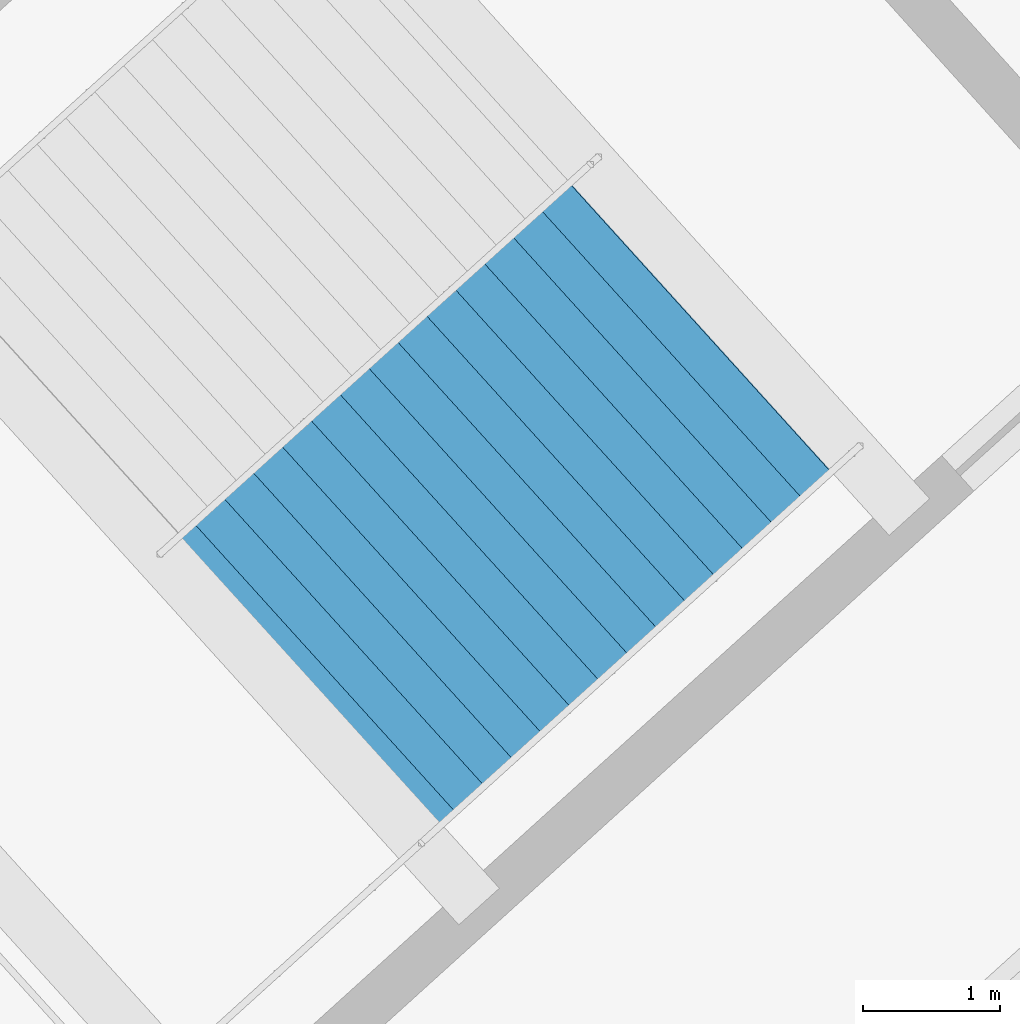
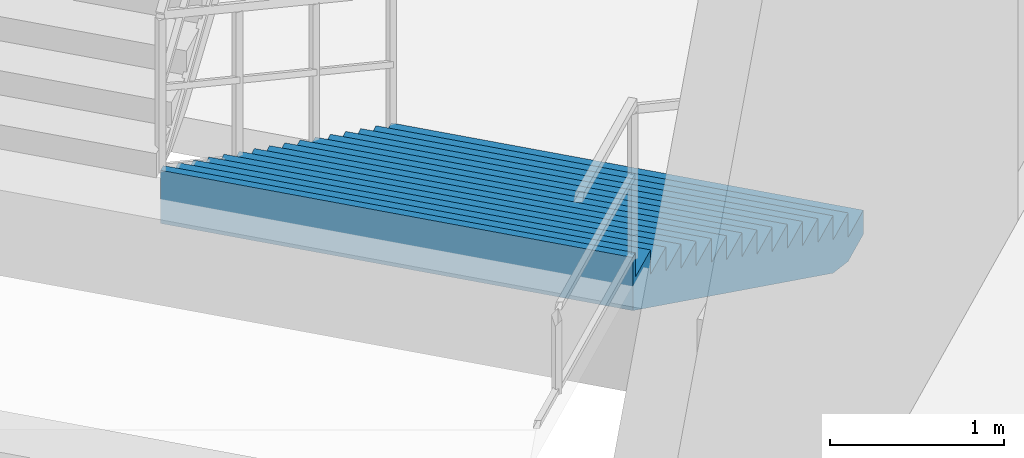
# One storey, part 79 of 86: 1 stair flight, 1 element without a shape of its own.
"""IFC4 building model written with IfcOpenShell, lengths in metres."""

import ifcopenshell
import ifcopenshell.guid

model = None  # the IFC model being written
_history = None  # IfcOwnerHistory: only IFC2X3 demands one
_inside = {}  # id of a spatial element -> (the spatial element, [elements in it])
_under = {}  # id of a project, library or spatial element -> (it, [spatial elements below it])
_declared = {}  # id of a project -> (the project, [libraries it declares])
_typed = {}  # id of a type object -> (the type object, [elements of that type])
_made_of = {}  # id of a material, layer set ... -> (it, [elements and type objects made of it])


def new_model(schema):
    """Start an empty IFC model of exactly this schema.

    Asked for "IFC4X3", IfcOpenShell would pick the latest addendum, in which some entities
    have other attributes; the version numbers below select the first issue.
    IFC2X3 requires an IfcOwnerHistory on every rooted entity: one is made here for all.
    """
    global model, _history
    if schema == "IFC4X3":
        model = ifcopenshell.file(schema_version=(4, 3, 0, 0))
    else:
        model = ifcopenshell.file(schema=schema)
    _inside.clear()
    _under.clear()
    _declared.clear()
    _typed.clear()
    _made_of.clear()
    _history = None
    if model.schema == "IFC2X3":
        org = make("IfcOrganization", Name="unknown")
        user = make(
            "IfcPersonAndOrganization",
            ThePerson=make("IfcPerson", FamilyName="unknown"),
            TheOrganization=org,
        )
        app = make(
            "IfcApplication",
            ApplicationDeveloper=org,
            Version="unknown",
            ApplicationFullName="unknown",
            ApplicationIdentifier="unknown",
        )
        _history = make(
            "IfcOwnerHistory",
            OwningUser=user,
            OwningApplication=app,
            ChangeAction="ADDED",
            CreationDate=0,
        )
    return model


def make(cls, **values):
    """One entity of the class cls with the attributes given. An attribute that is None is left unset."""
    return model.create_entity(
        cls, **{name: value for name, value in values.items() if value is not None}
    )


def rooted(cls, **values):
    """An entity with a GlobalId (a new one), such as an element, a storey or a relation."""
    return make(cls, GlobalId=ifcopenshell.guid.new(), OwnerHistory=_history, **values)


def si_unit(unit_type, name, prefix=None):
    """IfcSIUnit, for example si_unit("LENGTHUNIT", "METRE", prefix="MILLI")."""
    return make("IfcSIUnit", UnitType=unit_type, Prefix=prefix, Name=name)


def assignment(units):
    """IfcUnitAssignment: the units of a project."""
    return None if units is None else make("IfcUnitAssignment", Units=units)


def point(xyz):
    """IfcCartesianPoint."""
    return None if xyz is None else make("IfcCartesianPoint", Coordinates=xyz)


def direction(xyz):
    """IfcDirection."""
    return None if xyz is None else make("IfcDirection", DirectionRatios=xyz)


def frame(location, z_axis=None, x_axis=None):
    """IfcAxis2Placement3D, a coordinate frame: its origin and axes. An axis left out is left unset."""
    return make(
        "IfcAxis2Placement3D",
        Location=point(location),
        Axis=direction(z_axis),
        RefDirection=direction(x_axis),
    )


def origin():
    """The frame at (0, 0, 0) with its axes left unset."""
    return frame((0.0, 0.0, 0.0))


def place(relative_to, where):
    """IfcLocalPlacement: puts the frame where relative to a parent placement (None: the world)."""
    return make(
        "IfcLocalPlacement", PlacementRelTo=relative_to, RelativePlacement=where
    )


def context(
    kind, dimensions, precision=None, world=None, true_north=None, identifier=None
):
    """IfcGeometricRepresentationContext, for example the 3D "Model" context."""
    return make(
        "IfcGeometricRepresentationContext",
        ContextIdentifier=identifier,
        ContextType=kind,
        CoordinateSpaceDimension=dimensions,
        Precision=precision,
        WorldCoordinateSystem=world,
        TrueNorth=true_north,
    )


def subcontext(parent, identifier, kind, view, scale=None):
    """IfcGeometricRepresentationSubContext, for example "Body" below "Model"."""
    return make(
        "IfcGeometricRepresentationSubContext",
        ContextIdentifier=identifier,
        ContextType=kind,
        ParentContext=parent,
        TargetScale=scale,
        TargetView=view,
    )


def project(units=None, contexts=None):
    """IfcProject with its units and contexts."""
    return rooted(
        "IfcProject",
        Name="project",
        RepresentationContexts=contexts,
        UnitsInContext=assignment(units),
    )


def spatial(cls, under=None, at=None, **own):
    """A site, building, storey or space (cls), placed at a placement, below another one or the project."""
    s = rooted(cls, ObjectPlacement=at, **own)
    if under is not None:
        _under.setdefault(under.id(), (under, []))[1].append(s)
    return s


def point_list(points):
    """IfcCartesianPointList2D or 3D."""
    cls = (
        "IfcCartesianPointList2D" if len(points[0]) == 2 else "IfcCartesianPointList3D"
    )
    return make(cls, CoordList=points)


def polygons(points, faces, closed=None, point_numbers=None):
    """IfcPolygonalFaceSet: a face is its outer loop, then its inner loops; points numbered from 1."""
    made = []
    for loops in faces:
        if len(loops) == 1:
            made.append(make("IfcIndexedPolygonalFace", CoordIndex=loops[0]))
        else:
            made.append(
                make(
                    "IfcIndexedPolygonalFaceWithVoids",
                    CoordIndex=loops[0],
                    InnerCoordIndices=loops[1:],
                )
            )
    return make(
        "IfcPolygonalFaceSet",
        Coordinates=point_list(points),
        Closed=closed,
        Faces=made,
        PnIndex=point_numbers,
    )


def shape(context_of_items, identifier, shape_type, items):
    """IfcShapeRepresentation: the items that make up one representation, for example the "Body"."""
    return make(
        "IfcShapeRepresentation",
        ContextOfItems=context_of_items,
        RepresentationIdentifier=identifier,
        RepresentationType=shape_type,
        Items=items,
    )


def material(Name=None, Category=None):
    """IfcMaterial."""
    return make("IfcMaterial", Name=Name, Category=Category)


def made_of(thing, what):
    """Note that an element or type object is made of a material, layer set ...; save() writes the relation."""
    if what is not None:
        _made_of.setdefault(what.id(), (what, []))[1].append(thing)
    return thing


def type_object(cls, material=None, **own):
    """A type object (cls), such as IfcWallType, which elements share."""
    return made_of(rooted(cls, **own), material)


def element(
    cls,
    number,
    at=None,
    inside=None,
    cuts=None,
    type_object=None,
    material=None,
    context=None,
    identifier="Body",
    shape_type=None,
    held_by="IfcProductDefinitionShape",
    body=None,
    shapes=None,
    **own,
):
    """One element of the class cls, such as IfcWall. Its Tag is "e" and its number.

    at: its placement. inside: the storey or other place that contains it. cuts: it is an
    opening in that element (IfcRelVoidsElement). A single representation is given by context,
    identifier, shape_type and body (its items); several are given by shapes. held_by: the class
    of the entity that holds the representations. save() writes the other relations.
    """
    e = rooted(cls, Tag="e%d" % number, ObjectPlacement=at, **own)
    if body is not None:
        shapes = [shape(context, identifier, shape_type, body)]
    if shapes is not None:
        e.Representation = make(held_by, Representations=shapes)
    if inside is not None:
        _inside.setdefault(inside.id(), (inside, []))[1].append(e)
    if cuts is not None:
        rooted(
            "IfcRelVoidsElement", RelatingBuildingElement=cuts, RelatedOpeningElement=e
        )
    if type_object is not None:
        _typed.setdefault(type_object.id(), (type_object, []))[1].append(e)
    return made_of(e, material)


def aggregate(whole, parts):
    """IfcRelAggregates: a whole, such as a stair, and the parts it consists of."""
    return rooted("IfcRelAggregates", RelatingObject=whole, RelatedObjects=parts)


def save(model, path):
    """Write the relations noted so far, then the file.

    IfcRelAggregates (storeys below a building ...), IfcRelContainedInSpatialStructure (elements
    in a storey), IfcRelDefinesByType, IfcRelAssociatesMaterial and IfcRelDeclares: one each for
    every whole, place, type object, material and project.
    """
    for whole, parts in _under.values():
        aggregate(whole, parts)
    for where, things in _inside.values():
        rooted(
            "IfcRelContainedInSpatialStructure",
            RelatedElements=things,
            RelatingStructure=where,
        )
    for kind, things in _typed.values():
        rooted("IfcRelDefinesByType", RelatedObjects=things, RelatingType=kind)
    for what, things in _made_of.values():
        rooted("IfcRelAssociatesMaterial", RelatedObjects=things, RelatingMaterial=what)
    for by, libraries in _declared.values():
        rooted("IfcRelDeclares", RelatingContext=by, RelatedDefinitions=libraries)
    model.write(path)


model = new_model("IFC4")

# Units and contexts
model_context = context("Model", 3, precision=1e-05, world=origin(), true_north=direction((0.0, 1.0)))
body_context = subcontext(model_context, "Body", "Model", "MODEL_VIEW")
ifc_project = project(units=[si_unit("LENGTHUNIT", "METRE"), si_unit("AREAUNIT", "SQUARE_METRE"), si_unit("VOLUMEUNIT", "CUBIC_METRE"), si_unit("PLANEANGLEUNIT", "RADIAN"), si_unit("MASSUNIT", "GRAM", prefix="KILO")], contexts=[model_context])

# Site, building, storey
site_placement = place(None, origin())
site = spatial("IfcSite", under=ifc_project, at=site_placement, CompositionType="ELEMENT")
building_placement = place(site_placement, origin())
building = spatial("IfcBuilding", under=site, at=building_placement, Name="Kazemori Nagisa Stadium", CompositionType="ELEMENT")
storey_placement = place(building_placement, frame((0.0, 0.0, 31.280029296875)))
storey = spatial("IfcBuildingStorey", under=building, at=storey_placement, Name="L06", CompositionType="ELEMENT", Elevation=31.280029296875)

# Stair, stair flight
ifc_material = material(Name="Concrete C36/45 (Fc36)", Category="concrete")
stair_type = type_object("IfcStairType", Name="Stair_CORE_32", PredefinedType="TWO_STRAIGHT_RUN_STAIR", material=ifc_material)
stair_placement = place(storey_placement, origin())
stair = element("IfcStair", 1, at=stair_placement, inside=storey, type_object=stair_type, Name="Exit stair ST02 L06", PredefinedType="TWO_STRAIGHT_RUN_STAIR")
stair_flight_type = type_object("IfcStairFlightType", Name="Flight_CORE_16", PredefinedType="STRAIGHT", material=ifc_material)
stair_flight_placement = place(storey_placement, frame((63.22412109375, 164.589599609375, 0.0), z_axis=(0.0, 0.0, 1.0), x_axis=(-0.741328742395, -0.671142083093, 0.0)))
stair_flight = element("IfcStairFlight", 2, at=stair_flight_placement, type_object=stair_flight_type, Name="Exit stair ST02 L06 flight 1", NumberOfRisers=16, NumberOfTreads=15, PredefinedType="STRAIGHT", RiserHeight=0.17, TreadLength=0.285, context=body_context, shape_type="Tessellation", body=[
    polygons([(0.0, -1.425048828125, 0.0), (0.0, -1.425048828125, 0.169921875), (0.284912109375, -1.425048828125, 0.169921875), (0.284912109375, -1.425048828125, 0.340087890625), (0.570068359375, -1.425048828125, 0.340087890625), (0.570068359375, -1.425048828125, 0.510009765625), (0.85498046875, -1.425048828125, 0.510009765625), (0.85498046875, -1.425048828125, 0.679931640625), (1.139892578125, -1.425048828125, 0.679931640625), (1.139892578125, -1.425048828125, 0.85009765625), (1.425048828125, -1.425048828125, 0.85009765625), (1.425048828125, -1.425048828125, 1.02001953125), (1.7099609375, -1.425048828125, 1.02001953125), (1.7099609375, -1.425048828125, 1.18994140625), (1.9951171875, -1.425048828125, 1.18994140625), (1.9951171875, -1.425048828125, 1.360107421875), (2.280029296875, -1.425048828125, 1.360107421875), (2.280029296875, -1.425048828125, 1.530029296875), (2.56494140625, -1.425048828125, 1.530029296875), (2.56494140625, -1.425048828125, 1.699951171875), (2.85009765625, -1.425048828125, 1.699951171875), (2.85009765625, -1.425048828125, 1.8701171875), (3.135009765625, -1.425048828125, 1.8701171875), (3.135009765625, -1.425048828125, 2.0400390625), (3.419921875, -1.425048828125, 2.0400390625), (3.419921875, -1.425048828125, 2.2099609375), (3.705078125, -1.425048828125, 2.2099609375), (3.705078125, -1.425048828125, 2.3798828125), (3.989990234375, -1.425048828125, 2.3798828125), (3.989990234375, -1.425048828125, 2.550048828125), (4.27490234375, -1.425048828125, 2.550048828125), (4.27490234375, -1.425048828125, 2.719970703125), (4.324951171875, -1.425048828125, 2.719970703125), (4.324951171875, -1.425048828125, 2.346923828125), (4.27490234375, -1.425048828125, 2.317138671875), (3.989990234375, -1.425048828125, 2.147216796875), (3.705078125, -1.425048828125, 1.977294921875), (3.419921875, -1.425048828125, 1.80712890625), (3.135009765625, -1.425048828125, 1.63720703125), (2.85009765625, -1.425048828125, 1.46728515625), (2.56494140625, -1.425048828125, 1.297119140625), (2.280029296875, -1.425048828125, 1.127197265625), (1.9951171875, -1.425048828125, 0.957275390625), (1.7099609375, -1.425048828125, 0.787109375), (1.425048828125, -1.425048828125, 0.6171875), (1.139892578125, -1.425048828125, 0.447265625), (0.85498046875, -1.425048828125, 0.277099609375), (0.570068359375, -1.425048828125, 0.107177734375), (0.284912109375, -1.425048828125, 0.0), (0.0, -0.08544921875, 0.0), (0.0, -0.08544921875, 0.169921875), (0.284912109375, -0.08544921875, 0.169921875), (0.284912109375, -0.08544921875, 0.340087890625), (0.570068359375, -0.08544921875, 0.340087890625), (0.570068359375, -0.08544921875, 0.510009765625), (0.85498046875, -0.08544921875, 0.510009765625), (0.85498046875, -0.08544921875, 0.679931640625), (1.139892578125, -0.08544921875, 0.679931640625), (1.139892578125, -0.08544921875, 0.85009765625), (1.425048828125, -0.08544921875, 0.85009765625), (1.425048828125, -0.08544921875, 1.02001953125), (1.7099609375, -0.08544921875, 1.02001953125), (1.7099609375, -0.08544921875, 1.18994140625), (1.9951171875, -0.08544921875, 1.18994140625), (1.9951171875, -0.08544921875, 1.360107421875), (2.280029296875, -0.08544921875, 1.360107421875), (2.280029296875, -0.08544921875, 1.530029296875), (2.56494140625, -0.08544921875, 1.530029296875), (2.56494140625, -0.08544921875, 1.699951171875), (2.85009765625, -0.08544921875, 1.699951171875), (2.85009765625, -0.08544921875, 1.8701171875), (3.135009765625, -0.08544921875, 1.8701171875), (3.135009765625, -0.08544921875, 2.0400390625), (3.419921875, -0.08544921875, 2.0400390625), (3.419921875, -0.08544921875, 2.2099609375), (3.705078125, -0.08544921875, 2.2099609375), (3.705078125, -0.08544921875, 2.3798828125), (3.989990234375, -0.08544921875, 2.3798828125), (3.989990234375, -0.08544921875, 2.550048828125), (4.27490234375, -0.08544921875, 2.550048828125), (4.27490234375, -0.08544921875, 2.719970703125), (4.324951171875, -0.08544921875, 2.719970703125), (4.324951171875, -0.08544921875, 2.346923828125), (4.27490234375, -0.08544921875, 2.317138671875), (3.989990234375, -0.08544921875, 2.147216796875), (3.705078125, -0.08544921875, 1.977294921875), (3.419921875, -0.08544921875, 1.80712890625), (3.135009765625, -0.08544921875, 1.63720703125), (2.85009765625, -0.08544921875, 1.46728515625), (2.56494140625, -0.08544921875, 1.297119140625), (2.280029296875, -0.08544921875, 1.127197265625), (1.9951171875, -0.08544921875, 0.957275390625), (1.7099609375, -0.08544921875, 0.787109375), (1.425048828125, -0.08544921875, 0.6171875), (1.139892578125, -0.08544921875, 0.447265625), (0.85498046875, -0.08544921875, 0.277099609375), (0.570068359375, -0.08544921875, 0.107177734375), (0.284912109375, -0.08544921875, 0.0), (0.0, 0.0, 0.0), (0.0, 0.0, 0.169921875), (0.284912109375, 0.0, 0.169921875), (0.284912109375, 0.0, 0.340087890625), (0.570068359375, 0.0, 0.340087890625), (0.570068359375, 0.0, 0.510009765625), (0.85498046875, 0.0, 0.510009765625), (0.85498046875, 0.0, 0.679931640625), (1.139892578125, 0.0, 0.679931640625), (1.139892578125, 0.0, 0.85009765625), (1.425048828125, 0.0, 0.85009765625), (1.425048828125, 0.0, 1.02001953125), (1.7099609375, 0.0, 1.02001953125), (1.7099609375, 0.0, 1.18994140625), (1.9951171875, 0.0, 1.18994140625), (1.9951171875, 0.0, 1.360107421875), (2.280029296875, 0.0, 1.360107421875), (2.280029296875, 0.0, 1.530029296875), (2.56494140625, 0.0, 1.530029296875), (2.56494140625, 0.0, 1.699951171875), (2.85009765625, 0.0, 1.699951171875), (2.85009765625, 0.0, 1.8701171875), (3.135009765625, 0.0, 1.8701171875), (3.135009765625, 0.0, 2.0400390625), (3.419921875, 0.0, 2.0400390625), (3.419921875, 0.0, 2.2099609375), (3.705078125, 0.0, 2.2099609375), (3.705078125, 0.0, 2.3798828125), (3.989990234375, 0.0, 2.3798828125), (3.989990234375, 0.0, 2.550048828125), (4.27490234375, 0.0, 2.550048828125), (4.27490234375, 0.0, 2.719970703125), (4.324951171875, 0.0, 2.719970703125), (4.324951171875, 0.0, 2.346923828125), (4.27490234375, 0.0, 2.317138671875), (3.989990234375, 0.0, 2.147216796875), (3.705078125, 0.0, 1.977294921875), (3.419921875, 0.0, 1.80712890625), (3.135009765625, 0.0, 1.63720703125), (2.85009765625, 0.0, 1.46728515625), (2.56494140625, 0.0, 1.297119140625), (2.280029296875, 0.0, 1.127197265625), (1.9951171875, 0.0, 0.957275390625), (1.7099609375, 0.0, 0.787109375), (1.425048828125, 0.0, 0.6171875), (1.139892578125, 0.0, 0.447265625), (0.85498046875, 0.0, 0.277099609375), (0.570068359375, 0.0, 0.107177734375), (0.284912109375, 0.0, 0.0), (0.0, 0.08544921875, 0.0), (0.0, 0.08544921875, 0.169921875), (0.284912109375, 0.08544921875, 0.169921875), (0.284912109375, 0.08544921875, 0.340087890625), (0.570068359375, 0.08544921875, 0.340087890625), (0.570068359375, 0.08544921875, 0.510009765625), (0.85498046875, 0.08544921875, 0.510009765625), (0.85498046875, 0.08544921875, 0.679931640625), (1.139892578125, 0.08544921875, 0.679931640625), (1.139892578125, 0.08544921875, 0.85009765625), (1.425048828125, 0.08544921875, 0.85009765625), (1.425048828125, 0.08544921875, 1.02001953125), (1.7099609375, 0.08544921875, 1.02001953125), (1.7099609375, 0.08544921875, 1.18994140625), (1.9951171875, 0.08544921875, 1.18994140625), (1.9951171875, 0.08544921875, 1.360107421875), (2.280029296875, 0.08544921875, 1.360107421875), (2.280029296875, 0.08544921875, 1.530029296875), (2.56494140625, 0.08544921875, 1.530029296875), (2.56494140625, 0.08544921875, 1.699951171875), (2.85009765625, 0.08544921875, 1.699951171875), (2.85009765625, 0.08544921875, 1.8701171875), (3.135009765625, 0.08544921875, 1.8701171875), (3.135009765625, 0.08544921875, 2.0400390625), (3.419921875, 0.08544921875, 2.0400390625), (3.419921875, 0.08544921875, 2.2099609375), (3.705078125, 0.08544921875, 2.2099609375), (3.705078125, 0.08544921875, 2.3798828125), (3.989990234375, 0.08544921875, 2.3798828125), (3.989990234375, 0.08544921875, 2.550048828125), (4.27490234375, 0.08544921875, 2.550048828125), (4.27490234375, 0.08544921875, 2.719970703125), (4.324951171875, 0.08544921875, 2.719970703125), (4.324951171875, 0.08544921875, 2.346923828125), (4.27490234375, 0.08544921875, 2.317138671875), (3.989990234375, 0.08544921875, 2.147216796875), (3.705078125, 0.08544921875, 1.977294921875), (3.419921875, 0.08544921875, 1.80712890625), (3.135009765625, 0.08544921875, 1.63720703125), (2.85009765625, 0.08544921875, 1.46728515625), (2.56494140625, 0.08544921875, 1.297119140625), (2.280029296875, 0.08544921875, 1.127197265625), (1.9951171875, 0.08544921875, 0.957275390625), (1.7099609375, 0.08544921875, 0.787109375), (1.425048828125, 0.08544921875, 0.6171875), (1.139892578125, 0.08544921875, 0.447265625), (0.85498046875, 0.08544921875, 0.277099609375), (0.570068359375, 0.08544921875, 0.107177734375), (0.284912109375, 0.08544921875, 0.0), (0.0, 1.425048828125, 0.0), (0.0, 1.425048828125, 0.169921875), (0.284912109375, 1.425048828125, 0.169921875), (0.284912109375, 1.425048828125, 0.340087890625), (0.570068359375, 1.425048828125, 0.340087890625), (0.570068359375, 1.425048828125, 0.510009765625), (0.85498046875, 1.425048828125, 0.510009765625), (0.85498046875, 1.425048828125, 0.679931640625), (1.139892578125, 1.425048828125, 0.679931640625), (1.139892578125, 1.425048828125, 0.85009765625), (1.425048828125, 1.425048828125, 0.85009765625), (1.425048828125, 1.425048828125, 1.02001953125), (1.7099609375, 1.425048828125, 1.02001953125), (1.7099609375, 1.425048828125, 1.18994140625), (1.9951171875, 1.425048828125, 1.18994140625), (1.9951171875, 1.425048828125, 1.360107421875), (2.280029296875, 1.425048828125, 1.360107421875), (2.280029296875, 1.425048828125, 1.530029296875), (2.56494140625, 1.425048828125, 1.530029296875), (2.56494140625, 1.425048828125, 1.699951171875), (2.85009765625, 1.425048828125, 1.699951171875), (2.85009765625, 1.425048828125, 1.8701171875), (3.135009765625, 1.425048828125, 1.8701171875), (3.135009765625, 1.425048828125, 2.0400390625), (3.419921875, 1.425048828125, 2.0400390625), (3.419921875, 1.425048828125, 2.2099609375), (3.705078125, 1.425048828125, 2.2099609375), (3.705078125, 1.425048828125, 2.3798828125), (3.989990234375, 1.425048828125, 2.3798828125), (3.989990234375, 1.425048828125, 2.550048828125), (4.27490234375, 1.425048828125, 2.550048828125), (4.27490234375, 1.425048828125, 2.719970703125), (4.324951171875, 1.425048828125, 2.719970703125), (4.324951171875, 1.425048828125, 2.346923828125), (4.27490234375, 1.425048828125, 2.317138671875), (3.989990234375, 1.425048828125, 2.147216796875), (3.705078125, 1.425048828125, 1.977294921875), (3.419921875, 1.425048828125, 1.80712890625), (3.135009765625, 1.425048828125, 1.63720703125), (2.85009765625, 1.425048828125, 1.46728515625), (2.56494140625, 1.425048828125, 1.297119140625), (2.280029296875, 1.425048828125, 1.127197265625), (1.9951171875, 1.425048828125, 0.957275390625), (1.7099609375, 1.425048828125, 0.787109375), (1.425048828125, 1.425048828125, 0.6171875), (1.139892578125, 1.425048828125, 0.447265625), (0.85498046875, 1.425048828125, 0.277099609375), (0.570068359375, 1.425048828125, 0.107177734375), (0.284912109375, 1.425048828125, 0.0)], [[[1, 2, 51]], [[1, 51, 50]], [[2, 3, 52]], [[2, 52, 51]], [[3, 4, 53]], [[3, 53, 52]], [[4, 5, 54]], [[4, 54, 53]], [[5, 6, 55]], [[5, 55, 54]], [[6, 7, 56]], [[6, 56, 55]], [[7, 8, 57]], [[7, 57, 56]], [[8, 9, 58]], [[8, 58, 57]], [[9, 10, 59]], [[9, 59, 58]], [[10, 11, 60]], [[10, 60, 59]], [[11, 12, 61]], [[11, 61, 60]], [[12, 13, 62]], [[12, 62, 61]], [[13, 14, 63]], [[13, 63, 62]], [[14, 15, 64]], [[14, 64, 63]], [[15, 16, 65]], [[15, 65, 64]], [[16, 17, 66]], [[16, 66, 65]], [[17, 18, 67]], [[17, 67, 66]], [[18, 19, 68]], [[18, 68, 67]], [[19, 20, 69]], [[19, 69, 68]], [[20, 21, 70]], [[20, 70, 69]], [[21, 22, 71]], [[21, 71, 70]], [[22, 23, 72]], [[22, 72, 71]], [[23, 24, 73]], [[23, 73, 72]], [[24, 25, 74]], [[24, 74, 73]], [[25, 26, 75]], [[25, 75, 74]], [[26, 27, 76]], [[26, 76, 75]], [[27, 28, 77]], [[27, 77, 76]], [[28, 29, 78]], [[28, 78, 77]], [[29, 30, 79]], [[29, 79, 78]], [[30, 31, 80]], [[30, 80, 79]], [[31, 32, 81]], [[31, 81, 80]], [[32, 33, 82]], [[32, 82, 81]], [[33, 34, 83]], [[33, 83, 82]], [[34, 35, 84]], [[34, 84, 83]], [[35, 36, 85]], [[35, 85, 84]], [[36, 37, 86]], [[36, 86, 85]], [[37, 38, 87]], [[37, 87, 86]], [[38, 39, 88]], [[38, 88, 87]], [[39, 40, 89]], [[39, 89, 88]], [[40, 41, 90]], [[40, 90, 89]], [[41, 42, 91]], [[41, 91, 90]], [[42, 43, 92]], [[42, 92, 91]], [[43, 44, 93]], [[43, 93, 92]], [[44, 45, 94]], [[44, 94, 93]], [[45, 46, 95]], [[45, 95, 94]], [[46, 47, 96]], [[46, 96, 95]], [[47, 48, 97]], [[47, 97, 96]], [[48, 49, 98]], [[48, 98, 97]], [[49, 1, 50]], [[49, 50, 98]], [[50, 51, 100]], [[50, 100, 99]], [[51, 52, 101]], [[51, 101, 100]], [[52, 53, 102]], [[52, 102, 101]], [[53, 54, 103]], [[53, 103, 102]], [[54, 55, 104]], [[54, 104, 103]], [[55, 56, 105]], [[55, 105, 104]], [[56, 57, 106]], [[56, 106, 105]], [[57, 58, 107]], [[57, 107, 106]], [[58, 59, 108]], [[58, 108, 107]], [[59, 60, 109]], [[59, 109, 108]], [[60, 61, 110]], [[60, 110, 109]], [[61, 62, 111]], [[61, 111, 110]], [[62, 63, 112]], [[62, 112, 111]], [[63, 64, 113]], [[63, 113, 112]], [[64, 65, 114]], [[64, 114, 113]], [[65, 66, 115]], [[65, 115, 114]], [[66, 67, 116]], [[66, 116, 115]], [[67, 68, 117]], [[67, 117, 116]], [[68, 69, 118]], [[68, 118, 117]], [[69, 70, 119]], [[69, 119, 118]], [[70, 71, 120]], [[70, 120, 119]], [[71, 72, 121]], [[71, 121, 120]], [[72, 73, 122]], [[72, 122, 121]], [[73, 74, 123]], [[73, 123, 122]], [[74, 75, 124]], [[74, 124, 123]], [[75, 76, 125]], [[75, 125, 124]], [[76, 77, 126]], [[76, 126, 125]], [[77, 78, 127]], [[77, 127, 126]], [[78, 79, 128]], [[78, 128, 127]], [[79, 80, 129]], [[79, 129, 128]], [[80, 81, 130]], [[80, 130, 129]], [[81, 82, 131]], [[81, 131, 130]], [[82, 83, 132]], [[82, 132, 131]], [[83, 84, 133]], [[83, 133, 132]], [[84, 85, 134]], [[84, 134, 133]], [[85, 86, 135]], [[85, 135, 134]], [[86, 87, 136]], [[86, 136, 135]], [[87, 88, 137]], [[87, 137, 136]], [[88, 89, 138]], [[88, 138, 137]], [[89, 90, 139]], [[89, 139, 138]], [[90, 91, 140]], [[90, 140, 139]], [[91, 92, 141]], [[91, 141, 140]], [[92, 93, 142]], [[92, 142, 141]], [[93, 94, 143]], [[93, 143, 142]], [[94, 95, 144]], [[94, 144, 143]], [[95, 96, 145]], [[95, 145, 144]], [[96, 97, 146]], [[96, 146, 145]], [[97, 98, 147]], [[97, 147, 146]], [[98, 50, 99]], [[98, 99, 147]], [[99, 100, 149]], [[99, 149, 148]], [[100, 101, 150]], [[100, 150, 149]], [[101, 102, 151]], [[101, 151, 150]], [[102, 103, 152]], [[102, 152, 151]], [[103, 104, 153]], [[103, 153, 152]], [[104, 105, 154]], [[104, 154, 153]], [[105, 106, 155]], [[105, 155, 154]], [[106, 107, 156]], [[106, 156, 155]], [[107, 108, 157]], [[107, 157, 156]], [[108, 109, 158]], [[108, 158, 157]], [[109, 110, 159]], [[109, 159, 158]], [[110, 111, 160]], [[110, 160, 159]], [[111, 112, 161]], [[111, 161, 160]], [[112, 113, 162]], [[112, 162, 161]], [[113, 114, 163]], [[113, 163, 162]], [[114, 115, 164]], [[114, 164, 163]], [[115, 116, 165]], [[115, 165, 164]], [[116, 117, 166]], [[116, 166, 165]], [[117, 118, 167]], [[117, 167, 166]], [[118, 119, 168]], [[118, 168, 167]], [[119, 120, 169]], [[119, 169, 168]], [[120, 121, 170]], [[120, 170, 169]], [[121, 122, 171]], [[121, 171, 170]], [[122, 123, 172]], [[122, 172, 171]], [[123, 124, 173]], [[123, 173, 172]], [[124, 125, 174]], [[124, 174, 173]], [[125, 126, 175]], [[125, 175, 174]], [[126, 127, 176]], [[126, 176, 175]], [[127, 128, 177]], [[127, 177, 176]], [[128, 129, 178]], [[128, 178, 177]], [[129, 130, 179]], [[129, 179, 178]], [[130, 131, 180]], [[130, 180, 179]], [[131, 132, 181]], [[131, 181, 180]], [[132, 133, 182]], [[132, 182, 181]], [[133, 134, 183]], [[133, 183, 182]], [[134, 135, 184]], [[134, 184, 183]], [[135, 136, 185]], [[135, 185, 184]], [[136, 137, 186]], [[136, 186, 185]], [[137, 138, 187]], [[137, 187, 186]], [[138, 139, 188]], [[138, 188, 187]], [[139, 140, 189]], [[139, 189, 188]], [[140, 141, 190]], [[140, 190, 189]], [[141, 142, 191]], [[141, 191, 190]], [[142, 143, 192]], [[142, 192, 191]], [[143, 144, 193]], [[143, 193, 192]], [[144, 145, 194]], [[144, 194, 193]], [[145, 146, 195]], [[145, 195, 194]], [[146, 147, 196]], [[146, 196, 195]], [[147, 99, 148]], [[147, 148, 196]], [[148, 149, 198]], [[148, 198, 197]], [[149, 150, 199]], [[149, 199, 198]], [[150, 151, 200]], [[150, 200, 199]], [[151, 152, 201]], [[151, 201, 200]], [[152, 153, 202]], [[152, 202, 201]], [[153, 154, 203]], [[153, 203, 202]], [[154, 155, 204]], [[154, 204, 203]], [[155, 156, 205]], [[155, 205, 204]], [[156, 157, 206]], [[156, 206, 205]], [[157, 158, 207]], [[157, 207, 206]], [[158, 159, 208]], [[158, 208, 207]], [[159, 160, 209]], [[159, 209, 208]], [[160, 161, 210]], [[160, 210, 209]], [[161, 162, 211]], [[161, 211, 210]], [[162, 163, 212]], [[162, 212, 211]], [[163, 164, 213]], [[163, 213, 212]], [[164, 165, 214]], [[164, 214, 213]], [[165, 166, 215]], [[165, 215, 214]], [[166, 167, 216]], [[166, 216, 215]], [[167, 168, 217]], [[167, 217, 216]], [[168, 169, 218]], [[168, 218, 217]], [[169, 170, 219]], [[169, 219, 218]], [[170, 171, 220]], [[170, 220, 219]], [[171, 172, 221]], [[171, 221, 220]], [[172, 173, 222]], [[172, 222, 221]], [[173, 174, 223]], [[173, 223, 222]], [[174, 175, 224]], [[174, 224, 223]], [[175, 176, 225]], [[175, 225, 224]], [[176, 177, 226]], [[176, 226, 225]], [[177, 178, 227]], [[177, 227, 226]], [[178, 179, 228]], [[178, 228, 227]], [[179, 180, 229]], [[179, 229, 228]], [[180, 181, 230]], [[180, 230, 229]], [[181, 182, 231]], [[181, 231, 230]], [[182, 183, 232]], [[182, 232, 231]], [[183, 184, 233]], [[183, 233, 232]], [[184, 185, 234]], [[184, 234, 233]], [[185, 186, 235]], [[185, 235, 234]], [[186, 187, 236]], [[186, 236, 235]], [[187, 188, 237]], [[187, 237, 236]], [[188, 189, 238]], [[188, 238, 237]], [[189, 190, 239]], [[189, 239, 238]], [[190, 191, 240]], [[190, 240, 239]], [[191, 192, 241]], [[191, 241, 240]], [[192, 193, 242]], [[192, 242, 241]], [[193, 194, 243]], [[193, 243, 242]], [[194, 195, 244]], [[194, 244, 243]], [[195, 196, 245]], [[195, 245, 244]], [[196, 148, 197]], [[196, 197, 245]], [[3, 2, 1]], [[197, 198, 199]], [[49, 3, 1]], [[197, 199, 245]], [[48, 3, 49]], [[245, 199, 244]], [[5, 3, 48]], [[244, 199, 201]], [[5, 4, 3]], [[199, 200, 201]], [[47, 5, 48]], [[244, 201, 243]], [[7, 5, 47]], [[243, 201, 203]], [[7, 6, 5]], [[201, 202, 203]], [[46, 7, 47]], [[243, 203, 242]], [[9, 7, 46]], [[242, 203, 205]], [[9, 8, 7]], [[203, 204, 205]], [[45, 9, 46]], [[242, 205, 241]], [[11, 9, 45]], [[241, 205, 207]], [[11, 10, 9]], [[205, 206, 207]], [[44, 11, 45]], [[241, 207, 240]], [[13, 11, 44]], [[240, 207, 209]], [[13, 12, 11]], [[207, 208, 209]], [[43, 13, 44]], [[240, 209, 239]], [[15, 13, 43]], [[239, 209, 211]], [[15, 14, 13]], [[209, 210, 211]], [[42, 15, 43]], [[239, 211, 238]], [[17, 15, 42]], [[238, 211, 213]], [[17, 16, 15]], [[211, 212, 213]], [[41, 17, 42]], [[238, 213, 237]], [[19, 17, 41]], [[237, 213, 215]], [[19, 18, 17]], [[213, 214, 215]], [[40, 19, 41]], [[237, 215, 236]], [[21, 19, 40]], [[236, 215, 217]], [[21, 20, 19]], [[215, 216, 217]], [[39, 21, 40]], [[236, 217, 235]], [[23, 21, 39]], [[235, 217, 219]], [[23, 22, 21]], [[217, 218, 219]], [[38, 23, 39]], [[235, 219, 234]], [[25, 23, 38]], [[234, 219, 221]], [[25, 24, 23]], [[219, 220, 221]], [[37, 25, 38]], [[234, 221, 233]], [[27, 25, 37]], [[233, 221, 223]], [[27, 26, 25]], [[221, 222, 223]], [[36, 27, 37]], [[233, 223, 232]], [[29, 27, 36]], [[232, 223, 225]], [[29, 28, 27]], [[223, 224, 225]], [[35, 29, 36]], [[232, 225, 231]], [[31, 29, 35]], [[231, 225, 227]], [[31, 30, 29]], [[225, 226, 227]], [[34, 31, 35]], [[231, 227, 230]], [[33, 31, 34]], [[230, 227, 229]], [[33, 32, 31]], [[227, 228, 229]]], closed=True),
])
aggregate(stair, [stair_flight])

save(model, "model.ifc")
